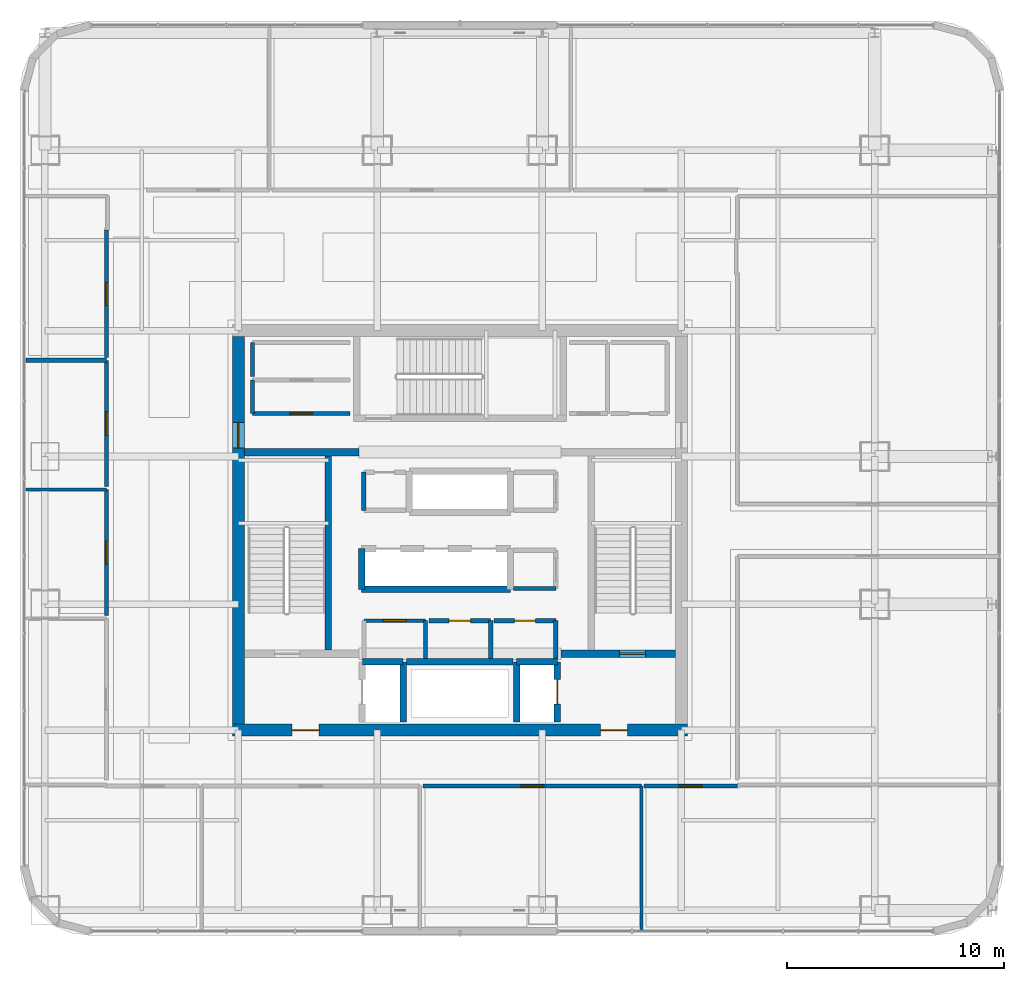
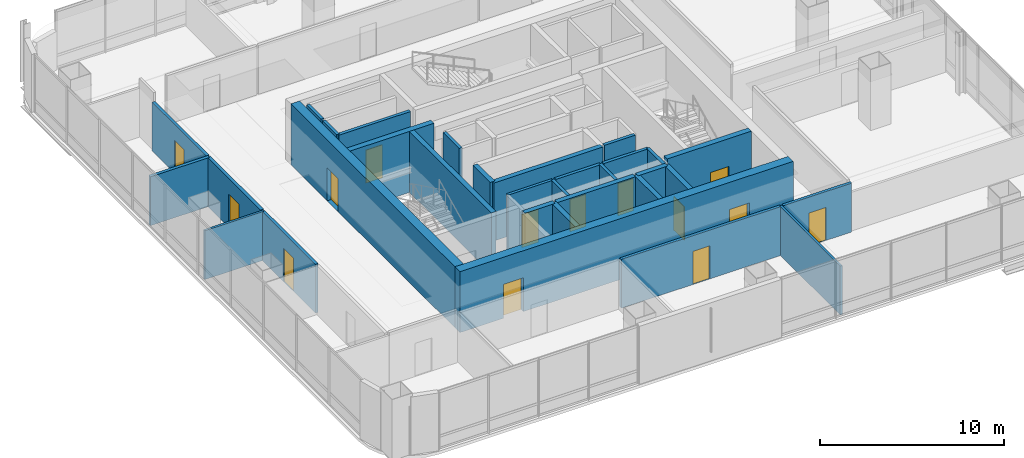
# One storey, part 32 of 44: 32 walls, 14 doors, 14 openings.
"""IFC4 building model written with IfcOpenShell, lengths in metres."""

from ifc_helpers import new_model, si_unit, direction, frame, frame_2d, origin, place, context, subcontext, project, spatial, rectangle, extrude, material, layer, layer_set, type_object, element, fill, save


model = new_model("IFC4")

# Units and contexts
model_context = context("Model", 3, precision=1e-05, world=origin(), true_north=direction((0.0, 1.0)))
body_context = subcontext(model_context, "Body", "Model", "MODEL_VIEW")
ifc_project = project(units=[si_unit("LENGTHUNIT", "METRE"), si_unit("AREAUNIT", "SQUARE_METRE"), si_unit("VOLUMEUNIT", "CUBIC_METRE"), si_unit("PLANEANGLEUNIT", "RADIAN"), si_unit("MASSUNIT", "GRAM", prefix="KILO")], contexts=[model_context])

# Site, building, storey
site_placement = place(None, origin())
site = spatial("IfcSite", under=ifc_project, at=site_placement, CompositionType="ELEMENT")
building_placement = place(site_placement, origin())
building = spatial("IfcBuilding", under=site, at=building_placement, Name="Punatoya Terracotta Tower", CompositionType="ELEMENT")
storey_placement = place(building_placement, frame((0.0, 0.0, 267.60009765625)))
storey = spatial("IfcBuildingStorey", under=building, at=storey_placement, Name="L63", CompositionType="ELEMENT", Elevation=267.60009765625)

# Wall, openings, doors
ifc_material_1 = material(Name="Concrete C50/60", Category="concrete")
ifc_layer_1 = layer(ifc_material_1, 0.550048828125)
ifc_layer_set_1 = layer_set([ifc_layer_1], Name="Concrete C50/60")
wall_type_1 = type_object("IfcWallType", Name="WL-COR-550", PredefinedType="SHEAR", material=ifc_layer_set_1)
wall_1_placement = place(storey_placement, frame((10.47509765625, -9.199951171875, 0.0), z_axis=(0.0, 0.0, 1.0), x_axis=(-1.0, 0.0, 0.0)))
wall_1 = element("IfcWall", 1, at=wall_1_placement, inside=storey, type_object=wall_type_1, Name="L63 Core Shear Wall S", PredefinedType="SHEAR", context=body_context, shape_type="SweptSolid", body=[
    extrude(rectangle(XDim=20.9501953125, YDim=0.550048828125, at=frame_2d((10.47509765625, 0.0))), origin(), (0.0, 0.0, 1.0), 4.0498046875),
])
opening_1_placement = place(wall_1_placement, frame((2.75, 0.0, 0.0)))
opening_1 = element("IfcOpeningElement", 2, at=opening_1_placement, cuts=wall_1, Name="Opening FD-L1", PredefinedType="OPENING", context=body_context, shape_type="SweptSolid", body=[
    extrude(rectangle(XDim=1.25, YDim=2.25, at=frame_2d((0.625, 1.125))), frame((0.0, 0.284912109375, 0.0), z_axis=(0.0, -1.0, 0.0), x_axis=(1.0, 0.0, 0.0)), (0.0, 0.0, 1.0), 0.570068359375),
])
opening_2_placement = place(wall_1_placement, frame((16.949951171875, 0.0, 0.0)))
opening_2 = element("IfcOpeningElement", 3, at=opening_2_placement, cuts=wall_1, Name="Opening FD-L1", PredefinedType="OPENING", context=body_context, shape_type="SweptSolid", body=[
    extrude(rectangle(XDim=1.25, YDim=2.25, at=frame_2d((0.625, 1.125))), frame((0.0, 0.284912109375, 0.0), z_axis=(0.0, -1.0, 0.0), x_axis=(1.0, 0.0, 0.0)), (0.0, 0.0, 1.0), 0.570068359375),
])
ifc_material_2 = material(Name="Galvanised Steel Smokeproof Fire Door", Category="steel")
door_type_1 = type_object("IfcDoorType", Name="DR-FFL-1250", OperationType="NOTDEFINED", PredefinedType="DOOR", material=ifc_material_2)
door_1_placement = place(opening_1_placement, origin())
door_1 = element("IfcDoor", 4, at=door_1_placement, inside=storey, type_object=door_type_1, Name="L63 East Firefighting Lobby Corridor Fire Door", OperationType="SINGLE_SWING_LEFT", OverallHeight=2.25, OverallWidth=1.25, PredefinedType="DOOR", context=body_context, shape_type="SweptSolid", body=[
    extrude(rectangle(XDim=1.25, YDim=2.25, at=frame_2d((0.625, 1.125))), frame((0.0, 0.02490234375, 0.0), z_axis=(0.0, -1.0, 0.0), x_axis=(1.0, 0.0, 0.0)), (0.0, 0.0, 1.0), 0.050048828125),
])
fill(opening_1, door_1)
door_2_placement = place(opening_2_placement, origin())
door_2 = element("IfcDoor", 5, at=door_2_placement, inside=storey, type_object=door_type_1, Name="L63 West Firefighting Lobby Corridor Fire Door", OperationType="SINGLE_SWING_RIGHT", OverallHeight=2.25, OverallWidth=1.25, PredefinedType="DOOR", context=body_context, shape_type="SweptSolid", body=[
    extrude(rectangle(XDim=1.25, YDim=2.25, at=frame_2d((0.625, 1.125))), frame((0.0, 0.02490234375, 0.0), z_axis=(0.0, -1.0, 0.0), x_axis=(1.0, 0.0, 0.0)), (0.0, 0.0, 1.0), 0.050048828125),
])
fill(opening_2, door_2)

# Wall, opening, door
wall_2_placement = place(storey_placement, frame((-10.199951171875, -8.925048828125, 0.0), z_axis=(0.0, 0.0, 1.0), x_axis=(0.0, 1.0, 0.0)))
wall_2 = element("IfcWall", 6, at=wall_2_placement, inside=storey, type_object=wall_type_1, Name="L63 Core Shear Wall W", PredefinedType="SHEAR", context=body_context, shape_type="SweptSolid", body=[
    extrude(rectangle(XDim=17.85009765625, YDim=0.550048828125, at=frame_2d((8.925048828125, 0.0))), origin(), (0.0, 0.0, 1.0), 4.0498046875),
])
opening_3_placement = place(wall_2_placement, frame((12.715087890625, 0.0, 0.0)))
opening_3 = element("IfcOpeningElement", 7, at=opening_3_placement, cuts=wall_2, Name="Opening SD-01", PredefinedType="OPENING", context=body_context, shape_type="SweptSolid", body=[
    extrude(rectangle(XDim=1.179931640625, YDim=2.199951171875, at=frame_2d((0.58984375, 1.10009765625))), frame((0.0, 0.284912109375, 0.0), z_axis=(0.0, -1.0, 0.0), x_axis=(1.0, 0.0, 0.0)), (0.0, 0.0, 1.0), 0.570068359375),
])
ifc_material_3 = material(Name="Galvanised Steel Pressurized Stair Fire Door", Category="steel")
door_type_2 = type_object("IfcDoorType", Name="DR-STR-1180", OperationType="NOTDEFINED", PredefinedType="DOOR", material=ifc_material_3)
door_3_placement = place(opening_3_placement, origin())
door_3 = element("IfcDoor", 8, at=door_3_placement, inside=storey, type_object=door_type_2, Name="L63 Central Lift Lobby West Fire Door", OperationType="SINGLE_SWING_LEFT", OverallHeight=2.199951171875, OverallWidth=1.179931640625, PredefinedType="DOOR", context=body_context, shape_type="SweptSolid", body=[
    extrude(rectangle(XDim=1.179931640625, YDim=2.199951171875, at=frame_2d((0.58984375, 1.10009765625))), frame((0.0, 0.02490234375, 0.0), z_axis=(0.0, -1.0, 0.0), x_axis=(1.0, 0.0, 0.0)), (0.0, 0.0, 1.0), 0.050048828125),
])
fill(opening_3, door_3)

# Wall
ifc_material_4 = material(Name="Gypsum Fireboard + Steel Stud", Category="steel")
ifc_layer_2 = layer(ifc_material_4, 0.179931640625)
ifc_layer_set_2 = layer_set([ifc_layer_2], Name="Gypsum Fireboard + Steel Stud")
wall_type_2 = type_object("IfcWallType", Name="WL-CORR-180", PredefinedType="PARTITIONING", material=ifc_layer_set_2)
wall_3_placement = place(storey_placement, frame((-1.580078125, -5.89990234375, 0.0), z_axis=(0.0, 0.0, 1.0), x_axis=(0.0, 1.0, 0.0)))
element("IfcWall", 9, at=wall_3_placement, inside=storey, type_object=wall_type_2, Name="L63 Core Quiet Wellness Room Partition 01", PredefinedType="PARTITIONING", context=body_context, shape_type="SweptSolid", body=[
    extrude(rectangle(XDim=1.739990234375, YDim=0.179931640625, at=frame_2d((0.8701171875, 0.0))), origin(), (0.0, 0.0, 1.0), 3.849853515625),
])

# Wall, opening, door
wall_4_placement = place(storey_placement, frame((-1.580078125, -4.159912109375, 0.0), z_axis=(0.0, 0.0, 1.0), x_axis=(-1.0, 0.0, 0.0)))
wall_4 = element("IfcWall", 10, at=wall_4_placement, inside=storey, type_object=wall_type_2, Name="L63 Core Quiet Wellness Room Partition 02", PredefinedType="PARTITIONING", context=body_context, shape_type="SweptSolid", body=[
    extrude(rectangle(XDim=2.83984375, YDim=0.179931640625, at=frame_2d((1.419921875, 0.0))), origin(), (0.0, 0.0, 1.0), 3.849853515625),
])
opening_4_placement = place(wall_4_placement, frame((0.89501953125, 0.0, 0.0)))
opening_4 = element("IfcOpeningElement", 11, at=opening_4_placement, cuts=wall_4, Name="Opening OD-01", PredefinedType="OPENING", context=body_context, shape_type="SweptSolid", body=[
    extrude(rectangle(XDim=1.050048828125, YDim=2.199951171875, at=frame_2d((0.52490234375, 1.10009765625))), frame((0.0, 0.099853515625, 0.0), z_axis=(0.0, -1.0, 0.0), x_axis=(1.0, 0.0, 0.0)), (0.0, 0.0, 1.0), 0.199951171875),
])
ifc_material_5 = material(Name="Bengal Teak Solid-Core Leaf")
door_type_3 = type_object("IfcDoorType", Name="DR-OFF-1050", OperationType="NOTDEFINED", PredefinedType="DOOR", material=ifc_material_5)
door_4_placement = place(opening_4_placement, origin())
door_4 = element("IfcDoor", 12, at=door_4_placement, inside=storey, type_object=door_type_3, Name="L63 Quiet Wellness Room Door", OperationType="SINGLE_SWING_LEFT", OverallHeight=2.199951171875, OverallWidth=1.050048828125, PredefinedType="DOOR", context=body_context, shape_type="SweptSolid", body=[
    extrude(rectangle(XDim=1.050048828125, YDim=2.199951171875, at=frame_2d((0.52490234375, 1.10009765625))), frame((0.0, 0.02490234375, 0.0), z_axis=(0.0, -1.0, 0.0), x_axis=(1.0, 0.0, 0.0)), (0.0, 0.0, 1.0), 0.050048828125),
])
fill(opening_4, door_4)

# Wall
wall_5_placement = place(storey_placement, frame((-9.550048828125, 8.64990234375, 0.0), z_axis=(0.0, 0.0, 1.0), x_axis=(0.0, -1.0, 0.0)))
element("IfcWall", 13, at=wall_5_placement, inside=storey, type_object=wall_type_2, Name="L63 West Core Copy Room Partition 21", PredefinedType="PARTITIONING", context=body_context, shape_type="SweptSolid", body=[
    extrude(rectangle(XDim=1.56982421875, YDim=0.179931640625, at=frame_2d((0.784912109375, 0.0))), origin(), (0.0, 0.0, 1.0), 3.849853515625),
])

# Wall, opening, door
wall_6_placement = place(storey_placement, frame((-1.70703125, -11.77001953125, 0.0), z_axis=(0.0, 0.0, 1.0), x_axis=(1.0, 0.0, 0.0)))
wall_6 = element("IfcWall", 14, at=wall_6_placement, inside=storey, type_object=wall_type_2, Name="L63 Open-Plan Cartography Reference Library Partition 32", PredefinedType="PARTITIONING", context=body_context, shape_type="SweptSolid", body=[
    extrude(rectangle(XDim=10.06591796875, YDim=0.179931640625, at=frame_2d((5.032958984375, 0.0))), origin(), (0.0, 0.0, 1.0), 3.243896484375),
])
opening_5_placement = place(wall_6_placement, frame((4.508056640625, 0.0, 0.0)))
opening_5 = element("IfcOpeningElement", 15, at=opening_5_placement, cuts=wall_6, Name="Opening OD-01", PredefinedType="OPENING", context=body_context, shape_type="SweptSolid", body=[
    extrude(rectangle(XDim=1.050048828125, YDim=2.199951171875, at=frame_2d((0.52490234375, 1.10009765625))), frame((0.0, 0.099853515625, 0.0), z_axis=(0.0, -1.0, 0.0), x_axis=(1.0, 0.0, 0.0)), (0.0, 0.0, 1.0), 0.199951171875),
])
door_5_placement = place(opening_5_placement, origin())
door_5 = element("IfcDoor", 16, at=door_5_placement, inside=storey, type_object=door_type_3, Name="L63 Open-Plan Cartography Reference Library Door", OperationType="SINGLE_SWING_RIGHT", OverallHeight=2.199951171875, OverallWidth=1.050048828125, PredefinedType="DOOR", context=body_context, shape_type="SweptSolid", body=[
    extrude(rectangle(XDim=1.050048828125, YDim=2.199951171875, at=frame_2d((0.52490234375, 1.10009765625))), frame((0.0, 0.02490234375, 0.0), z_axis=(0.0, -1.0, 0.0), x_axis=(1.0, 0.0, 0.0)), (0.0, 0.0, 1.0), 0.050048828125),
])
fill(opening_5, door_5)

wall_7_placement = place(storey_placement, frame((8.47900390625, -11.77001953125, 0.0), z_axis=(0.0, 0.0, 1.0), x_axis=(1.0, 0.0, 0.0)))
wall_7 = element("IfcWall", 17, at=wall_7_placement, inside=storey, type_object=wall_type_2, Name="L63 Open-Plan Environmental Research Laboratory Partition 36", PredefinedType="PARTITIONING", context=body_context, shape_type="SweptSolid", body=[
    extrude(rectangle(XDim=4.291015625, YDim=0.179931640625, at=frame_2d((2.1455078125, 0.0))), origin(), (0.0, 0.0, 1.0), 3.243896484375),
])
opening_6_placement = place(wall_7_placement, frame((1.62060546875, 0.0, 0.0)))
opening_6 = element("IfcOpeningElement", 18, at=opening_6_placement, cuts=wall_7, Name="Opening OD-01", PredefinedType="OPENING", context=body_context, shape_type="SweptSolid", body=[
    extrude(rectangle(XDim=1.050048828125, YDim=2.199951171875, at=frame_2d((0.52490234375, 1.10009765625))), frame((0.0, 0.099853515625, 0.0), z_axis=(0.0, -1.0, 0.0), x_axis=(1.0, 0.0, 0.0)), (0.0, 0.0, 1.0), 0.199951171875),
])
door_6_placement = place(opening_6_placement, origin())
door_6 = element("IfcDoor", 19, at=door_6_placement, inside=storey, type_object=door_type_3, Name="L63 Open-Plan Environmental Research Laboratory Door", OperationType="SINGLE_SWING_RIGHT", OverallHeight=2.199951171875, OverallWidth=1.050048828125, PredefinedType="DOOR", context=body_context, shape_type="SweptSolid", body=[
    extrude(rectangle(XDim=1.050048828125, YDim=2.199951171875, at=frame_2d((0.52490234375, 1.10009765625))), frame((0.0, 0.02490234375, 0.0), z_axis=(0.0, -1.0, 0.0), x_axis=(1.0, 0.0, 0.0)), (0.0, 0.0, 1.0), 0.050048828125),
])
fill(opening_6, door_6)

wall_8_placement = place(storey_placement, frame((-16.27001953125, 1.889892578125, 0.0), z_axis=(0.0, 0.0, 1.0), x_axis=(0.0, -1.0, 0.0)))
wall_8 = element("IfcWall", 20, at=wall_8_placement, inside=storey, type_object=wall_type_2, Name="L63 Open-Plan Wellness Rest Room Partition 42", PredefinedType="PARTITIONING", context=body_context, shape_type="SweptSolid", body=[
    extrude(rectangle(XDim=5.81982421875, YDim=0.179931640625, at=frame_2d((2.909912109375, 0.0))), origin(), (0.0, 0.0, 1.0), 3.243896484375),
])
opening_7_placement = place(wall_8_placement, frame((2.385009765625, 0.0, 0.0)))
opening_7 = element("IfcOpeningElement", 21, at=opening_7_placement, cuts=wall_8, Name="Opening OD-01", PredefinedType="OPENING", context=body_context, shape_type="SweptSolid", body=[
    extrude(rectangle(XDim=1.050048828125, YDim=2.199951171875, at=frame_2d((0.52490234375, 1.10009765625))), frame((0.0, 0.099853515625, 0.0), z_axis=(0.0, -1.0, 0.0), x_axis=(1.0, 0.0, 0.0)), (0.0, 0.0, 1.0), 0.199951171875),
])
door_7_placement = place(opening_7_placement, origin())
door_7 = element("IfcDoor", 22, at=door_7_placement, inside=storey, type_object=door_type_3, Name="L63 Open-Plan Wellness Rest Room Door", OperationType="SINGLE_SWING_LEFT", OverallHeight=2.199951171875, OverallWidth=1.050048828125, PredefinedType="DOOR", context=body_context, shape_type="SweptSolid", body=[
    extrude(rectangle(XDim=1.050048828125, YDim=2.199951171875, at=frame_2d((0.52490234375, 1.10009765625))), frame((0.0, 0.02490234375, 0.0), z_axis=(0.0, -1.0, 0.0), x_axis=(1.0, 0.0, 0.0)), (0.0, 0.0, 1.0), 0.050048828125),
])
fill(opening_7, door_7)

wall_9_placement = place(storey_placement, frame((-16.27001953125, 13.820068359375, 0.0), z_axis=(0.0, 0.0, 1.0), x_axis=(0.0, -1.0, 0.0)))
wall_9 = element("IfcWall", 23, at=wall_9_placement, inside=storey, type_object=wall_type_2, Name="L63 Urban Analytics Laboratory Partition 52", PredefinedType="PARTITIONING", context=body_context, shape_type="SweptSolid", body=[
    extrude(rectangle(XDim=5.8701171875, YDim=0.179931640625, at=frame_2d((2.93505859375, 0.0))), origin(), (0.0, 0.0, 1.0), 3.243896484375),
])
opening_8_placement = place(wall_9_placement, frame((2.409912109375, 0.0, 0.0)))
opening_8 = element("IfcOpeningElement", 24, at=opening_8_placement, cuts=wall_9, Name="Opening OD-01", PredefinedType="OPENING", context=body_context, shape_type="SweptSolid", body=[
    extrude(rectangle(XDim=1.050048828125, YDim=2.199951171875, at=frame_2d((0.52490234375, 1.10009765625))), frame((0.0, 0.099853515625, 0.0), z_axis=(0.0, -1.0, 0.0), x_axis=(1.0, 0.0, 0.0)), (0.0, 0.0, 1.0), 0.199951171875),
])
door_8_placement = place(opening_8_placement, origin())
door_8 = element("IfcDoor", 25, at=door_8_placement, inside=storey, type_object=door_type_3, Name="L63 Urban Analytics Laboratory Door", OperationType="SINGLE_SWING_RIGHT", OverallHeight=2.199951171875, OverallWidth=1.050048828125, PredefinedType="DOOR", context=body_context, shape_type="SweptSolid", body=[
    extrude(rectangle(XDim=1.050048828125, YDim=2.199951171875, at=frame_2d((0.52490234375, 1.10009765625))), frame((0.0, 0.02490234375, 0.0), z_axis=(0.0, -1.0, 0.0), x_axis=(1.0, 0.0, 0.0)), (0.0, 0.0, 1.0), 0.050048828125),
])
fill(opening_8, door_8)

# Wall
ifc_material_6 = material(Name="Concrete C40/50", Category="concrete")
ifc_layer_3 = layer(ifc_material_6, 0.199951171875)
ifc_layer_set_3 = layer_set([ifc_layer_3], Name="Concrete C40/50")
wall_type_3 = type_object("IfcWallType", Name="WL-INT-200", PredefinedType="SOLIDWALL", material=ifc_layer_set_3)
wall_10_placement = place(storey_placement, frame((1.419921875, -5.89990234375, 0.0), z_axis=(0.0, 0.0, 1.0), x_axis=(0.0, 1.0, 0.0)))
element("IfcWall", 26, at=wall_10_placement, inside=storey, type_object=wall_type_3, Name="L63 Accessible Universal Washroom Partition 04", PredefinedType="SOLIDWALL", context=body_context, shape_type="SweptSolid", body=[
    extrude(rectangle(XDim=1.739990234375, YDim=0.199951171875, at=frame_2d((0.8701171875, 0.0))), origin(), (0.0, 0.0, 1.0), 3.849853515625),
])

# Wall, opening, door
wall_11_placement = place(storey_placement, frame((1.419921875, -4.159912109375, 0.0), z_axis=(0.0, 0.0, 1.0), x_axis=(-1.0, 0.0, 0.0)))
wall_11 = element("IfcWall", 27, at=wall_11_placement, inside=storey, type_object=wall_type_3, Name="L63 Accessible Universal Washroom Partition 05", PredefinedType="SOLIDWALL", context=body_context, shape_type="SweptSolid", body=[
    extrude(rectangle(XDim=2.83984375, YDim=0.199951171875, at=frame_2d((1.419921875, 0.0))), origin(), (0.0, 0.0, 1.0), 3.849853515625),
])
opening_9_placement = place(wall_11_placement, frame((0.919921875, 0.0, 0.0)))
opening_9 = element("IfcOpeningElement", 28, at=opening_9_placement, cuts=wall_11, Name="Opening AWD-1", PredefinedType="OPENING", context=body_context, shape_type="SweptSolid", body=[
    extrude(rectangle(XDim=1.0, YDim=2.14990234375, at=frame_2d((0.5, 1.074951171875))), frame((0.0, 0.10986328125, 0.0), z_axis=(0.0, -1.0, 0.0), x_axis=(1.0, 0.0, 0.0)), (0.0, 0.0, 1.0), 0.219970703125),
])
ifc_material_7 = material(Name="Bengal Teak Accessible WC Leaf")
door_type_4 = type_object("IfcDoorType", Name="DR-ACC-1000", OperationType="NOTDEFINED", PredefinedType="DOOR", material=ifc_material_7)
door_9_placement = place(opening_9_placement, origin())
door_9 = element("IfcDoor", 29, at=door_9_placement, inside=storey, type_object=door_type_4, Name="L63 Accessible Universal Washroom Door", OperationType="SINGLE_SWING_RIGHT", OverallHeight=2.14990234375, OverallWidth=1.0, PredefinedType="DOOR", context=body_context, shape_type="SweptSolid", body=[
    extrude(rectangle(XDim=1.0, YDim=2.14990234375, at=frame_2d((0.5, 1.074951171875))), frame((0.0, 0.02490234375, 0.0), z_axis=(0.0, -1.0, 0.0), x_axis=(1.0, 0.0, 0.0)), (0.0, 0.0, 1.0), 0.050048828125),
])
fill(opening_9, door_9)

# Wall
wall_12_placement = place(storey_placement, frame((4.419921875, -5.89990234375, 0.0), z_axis=(0.0, 0.0, 1.0), x_axis=(0.0, 1.0, 0.0)))
element("IfcWall", 30, at=wall_12_placement, inside=storey, type_object=wall_type_3, Name="L63 All-Gender Washroom Partition 06", PredefinedType="SOLIDWALL", context=body_context, shape_type="SweptSolid", body=[
    extrude(rectangle(XDim=1.739990234375, YDim=0.199951171875, at=frame_2d((0.8701171875, 0.0))), origin(), (0.0, 0.0, 1.0), 3.849853515625),
])

# Wall, opening, door
wall_13_placement = place(storey_placement, frame((4.419921875, -4.159912109375, 0.0), z_axis=(0.0, 0.0, 1.0), x_axis=(-1.0, 0.0, 0.0)))
wall_13 = element("IfcWall", 31, at=wall_13_placement, inside=storey, type_object=wall_type_3, Name="L63 All-Gender Washroom Partition 07", PredefinedType="SOLIDWALL", context=body_context, shape_type="SweptSolid", body=[
    extrude(rectangle(XDim=2.83984375, YDim=0.199951171875, at=frame_2d((1.419921875, 0.0))), origin(), (0.0, 0.0, 1.0), 3.849853515625),
])
opening_10_placement = place(wall_13_placement, frame((0.945068359375, 0.0, 0.0)))
opening_10 = element("IfcOpeningElement", 32, at=opening_10_placement, cuts=wall_13, Name="Opening WD-01", PredefinedType="OPENING", context=body_context, shape_type="SweptSolid", body=[
    extrude(rectangle(XDim=0.949951171875, YDim=2.14990234375, at=frame_2d((0.47509765625, 1.074951171875))), frame((0.0, 0.10986328125, 0.0), z_axis=(0.0, -1.0, 0.0), x_axis=(1.0, 0.0, 0.0)), (0.0, 0.0, 1.0), 0.219970703125),
])
ifc_material_8 = material(Name="Moisture-Resistant Laminate Timber Leaf", Category="wood")
door_type_5 = type_object("IfcDoorType", Name="DR-WC-950", OperationType="NOTDEFINED", PredefinedType="DOOR", material=ifc_material_8)
door_10_placement = place(opening_10_placement, origin())
door_10 = element("IfcDoor", 33, at=door_10_placement, inside=storey, type_object=door_type_5, Name="L63 All-Gender Washroom Door", OperationType="SINGLE_SWING_LEFT", OverallHeight=2.14990234375, OverallWidth=0.949951171875, PredefinedType="DOOR", context=body_context, shape_type="SweptSolid", body=[
    extrude(rectangle(XDim=0.949951171875, YDim=2.14990234375, at=frame_2d((0.47509765625, 1.074951171875))), frame((0.0, 0.02490234375, 0.0), z_axis=(0.0, -1.0, 0.0), x_axis=(1.0, 0.0, 0.0)), (0.0, 0.0, 1.0), 0.050048828125),
])
fill(opening_10, door_10)

# Walls
wall_14_placement = place(storey_placement, frame((2.47998046875, -2.679931640625, 0.0), z_axis=(0.0, 0.0, 1.0), x_axis=(1.0, 0.0, 0.0)))
element("IfcWall", 34, at=wall_14_placement, inside=storey, type_object=wall_type_3, Name="L63 East Core Tea Pantry Partition 10", PredefinedType="SOLIDWALL", context=body_context, shape_type="SweptSolid", body=[
    extrude(rectangle(XDim=1.93994140625, YDim=0.199951171875, at=frame_2d((0.969970703125, 0.0))), origin(), (0.0, 0.0, 1.0), 3.849853515625),
])
wall_15_placement = place(storey_placement, frame((-4.419921875, 2.679931640625, 0.0), z_axis=(0.0, 0.0, 1.0), x_axis=(0.0, -1.0, 0.0)))
element("IfcWall", 35, at=wall_15_placement, inside=storey, type_object=wall_type_3, Name="L63 Core Security Equipment Closet Partition 12", PredefinedType="SOLIDWALL", context=body_context, shape_type="SweptSolid", body=[
    extrude(rectangle(XDim=1.760009765625, YDim=0.199951171875, at=frame_2d((0.8798828125, 0.0))), origin(), (0.0, 0.0, 1.0), 3.849853515625),
])
wall_16_placement = place(storey_placement, frame((-9.550048828125, 6.919921875, 0.0), z_axis=(0.0, 0.0, 1.0), x_axis=(0.0, -1.0, 0.0)))
element("IfcWall", 36, at=wall_16_placement, inside=storey, type_object=wall_type_3, Name="L63 West Core Tea Pantry Partition 18", PredefinedType="SOLIDWALL", context=body_context, shape_type="SweptSolid", body=[
    extrude(rectangle(XDim=1.5400390625, YDim=0.199951171875, at=frame_2d((0.77001953125, 0.0))), origin(), (0.0, 0.0, 1.0), 3.849853515625),
])

# Wall, opening, door
wall_17_placement = place(storey_placement, frame((-9.550048828125, 5.3798828125, 0.0), z_axis=(0.0, 0.0, 1.0), x_axis=(1.0, 0.0, 0.0)))
wall_17 = element("IfcWall", 37, at=wall_17_placement, inside=storey, type_object=wall_type_3, Name="L63 West Core Tea Pantry Partition 19", PredefinedType="SOLIDWALL", context=body_context, shape_type="SweptSolid", body=[
    extrude(rectangle(XDim=4.5, YDim=0.199951171875, at=frame_2d((2.25, 0.0))), origin(), (0.0, 0.0, 1.0), 3.849853515625),
])
opening_11_placement = place(wall_17_placement, frame((1.72509765625, 0.0, 0.0)))
opening_11 = element("IfcOpeningElement", 38, at=opening_11_placement, cuts=wall_17, Name="Opening OD-01", PredefinedType="OPENING", context=body_context, shape_type="SweptSolid", body=[
    extrude(rectangle(XDim=1.050048828125, YDim=2.199951171875, at=frame_2d((0.52490234375, 1.10009765625))), frame((0.0, 0.10986328125, 0.0), z_axis=(0.0, -1.0, 0.0), x_axis=(1.0, 0.0, 0.0)), (0.0, 0.0, 1.0), 0.219970703125),
])
door_11_placement = place(opening_11_placement, origin())
door_11 = element("IfcDoor", 39, at=door_11_placement, inside=storey, type_object=door_type_3, Name="L63 West Tea Pantry Door", OperationType="SINGLE_SWING_LEFT", OverallHeight=2.199951171875, OverallWidth=1.050048828125, PredefinedType="DOOR", context=body_context, shape_type="SweptSolid", body=[
    extrude(rectangle(XDim=1.050048828125, YDim=2.199951171875, at=frame_2d((0.52490234375, 1.10009765625))), frame((0.0, 0.02490234375, 0.0), z_axis=(0.0, -1.0, 0.0), x_axis=(1.0, 0.0, 0.0)), (0.0, 0.0, 1.0), 0.050048828125),
])
fill(opening_11, door_11)

# Wall
wall_18_placement = place(storey_placement, frame((-19.969970703125, 7.830078125, 0.0), z_axis=(0.0, 0.0, 1.0), x_axis=(1.0, 0.0, 0.0)))
element("IfcWall", 40, at=wall_18_placement, inside=storey, type_object=wall_type_3, Name="L63 Open-Plan Geospatial Data Archive Partition 43", PredefinedType="SOLIDWALL", context=body_context, shape_type="SweptSolid", body=[
    extrude(rectangle(XDim=3.699951171875, YDim=0.199951171875, at=frame_2d((1.85009765625, 0.0))), origin(), (0.0, 0.0, 1.0), 3.243896484375),
])

# Wall, opening, door
wall_19_placement = place(storey_placement, frame((-16.27001953125, 7.830078125, 0.0), z_axis=(0.0, 0.0, 1.0), x_axis=(0.0, -1.0, 0.0)))
wall_19 = element("IfcWall", 41, at=wall_19_placement, inside=storey, type_object=wall_type_3, Name="L63 Open-Plan Geospatial Data Archive Partition 44", PredefinedType="SOLIDWALL", context=body_context, shape_type="SweptSolid", body=[
    extrude(rectangle(XDim=5.820068359375, YDim=0.199951171875, at=frame_2d((2.91015625, 0.0))), origin(), (0.0, 0.0, 1.0), 3.243896484375),
])
opening_12_placement = place(wall_19_placement, frame((2.360107421875, 0.0, 0.0)))
opening_12 = element("IfcOpeningElement", 42, at=opening_12_placement, cuts=wall_19, Name="Opening FD-P1", PredefinedType="OPENING", context=body_context, shape_type="SweptSolid", body=[
    extrude(rectangle(XDim=1.10009765625, YDim=2.199951171875, at=frame_2d((0.550048828125, 1.10009765625))), frame((0.0, 0.10986328125, 0.0), z_axis=(0.0, -1.0, 0.0), x_axis=(1.0, 0.0, 0.0)), (0.0, 0.0, 1.0), 0.219970703125),
])
ifc_material_9 = material(Name="Galvanised Steel Plant Fire Door", Category="steel")
door_type_6 = type_object("IfcDoorType", Name="DR-PLT-1100", OperationType="NOTDEFINED", PredefinedType="DOOR", material=ifc_material_9)
door_12_placement = place(opening_12_placement, origin())
door_12 = element("IfcDoor", 43, at=door_12_placement, inside=storey, type_object=door_type_6, Name="L63 Open-Plan Geospatial Data Archive Fire Door", OperationType="SINGLE_SWING_RIGHT", OverallHeight=2.199951171875, OverallWidth=1.10009765625, PredefinedType="DOOR", context=body_context, shape_type="SweptSolid", body=[
    extrude(rectangle(XDim=1.10009765625, YDim=2.199951171875, at=frame_2d((0.550048828125, 1.10009765625))), frame((0.0, 0.02490234375, 0.0), z_axis=(0.0, -1.0, 0.0), x_axis=(1.0, 0.0, 0.0)), (0.0, 0.0, 1.0), 0.050048828125),
])
fill(opening_12, door_12)

# Walls
ifc_material_10 = material(Name="Acoustic Gypsum + Steel Stud", Category="steel")
ifc_layer_4 = layer(ifc_material_10, 0.139892578125)
ifc_layer_set_4 = layer_set([ifc_layer_4], Name="Acoustic Gypsum + Steel Stud")
wall_type_4 = type_object("IfcWallType", Name="WL-OFF-140", PredefinedType="PARTITIONING", material=ifc_layer_set_4)
wall_20_placement = place(storey_placement, frame((8.35888671875, -11.77001953125, 0.0), z_axis=(0.0, 0.0, 1.0), x_axis=(0.0, -1.0, 0.0)))
element("IfcWall", 44, at=wall_20_placement, inside=storey, type_object=wall_type_4, Name="L63 Open-Plan Cartography Reference Library Partition 31", PredefinedType="PARTITIONING", context=body_context, shape_type="SweptSolid", body=[
    extrude(rectangle(XDim=6.60009765625, YDim=0.139892578125, at=frame_2d((3.300048828125, 0.0))), origin(), (0.0, 0.0, 1.0), 3.243896484375),
])
wall_21_placement = place(storey_placement, frame((-19.969970703125, 1.889892578125, 0.0), z_axis=(0.0, 0.0, 1.0), x_axis=(1.0, 0.0, 0.0)))
element("IfcWall", 45, at=wall_21_placement, inside=storey, type_object=wall_type_4, Name="L63 Open-Plan Wellness Rest Room Partition 41", PredefinedType="PARTITIONING", context=body_context, shape_type="SweptSolid", body=[
    extrude(rectangle(XDim=3.699951171875, YDim=0.139892578125, at=frame_2d((1.85009765625, 0.0))), origin(), (0.0, 0.0, 1.0), 3.243896484375),
])
ifc_layer_5 = layer(ifc_material_6, 0.300048828125)
ifc_layer_set_5 = layer_set([ifc_layer_5], Name="Concrete C40/50")
wall_type_5 = type_object("IfcWallType", Name="WL-SHF-300", PredefinedType="SOLIDWALL", material=ifc_layer_set_5)
wall_22_placement = place(storey_placement, frame((-6.050048828125, -5.5, 0.0), z_axis=(0.0, 0.0, 1.0), x_axis=(0.0, 1.0, 0.0)))
element("IfcWall", 46, at=wall_22_placement, inside=storey, type_object=wall_type_5, Name="L63 Structural Stair Shaft Wall SW-ST1-E", PredefinedType="SOLIDWALL", context=body_context, shape_type="SweptSolid", body=[
    extrude(rectangle(XDim=8.949951171875, YDim=0.300048828125, at=frame_2d((4.47509765625, 0.0))), origin(), (0.0, 0.0, 1.0), 4.0498046875),
])
wall_23_placement = place(storey_placement, frame((-2.610107421875, -8.820068359375, 0.0), z_axis=(0.0, 0.0, 1.0), x_axis=(0.0, 1.0, 0.0)))
element("IfcWall", 47, at=wall_23_placement, inside=storey, type_object=wall_type_5, Name="L63 FFL-1 Rear Hoistway Wall", PredefinedType="SOLIDWALL", context=body_context, shape_type="SweptSolid", body=[
    extrude(rectangle(XDim=2.77001953125, YDim=0.300048828125, at=frame_2d((1.385009765625, 0.0))), origin(), (0.0, 0.0, 1.0), 3.849853515625),
])
wall_24_placement = place(storey_placement, frame((-4.489990234375, -6.050048828125, 0.0), z_axis=(0.0, 0.0, 1.0), x_axis=(1.0, 0.0, 0.0)))
element("IfcWall", 48, at=wall_24_placement, inside=storey, type_object=wall_type_5, Name="L63 FFL-1 North Hoistway Wall", PredefinedType="SOLIDWALL", context=body_context, shape_type="SweptSolid", body=[
    extrude(rectangle(XDim=1.8798828125, YDim=0.300048828125, at=frame_2d((0.93994140625, 0.0))), origin(), (0.0, 0.0, 1.0), 3.849853515625),
])

# Wall, opening, door
wall_25_placement = place(storey_placement, frame((4.489990234375, -8.820068359375, 0.0), z_axis=(0.0, 0.0, 1.0), x_axis=(0.0, 1.0, 0.0)))
wall_25 = element("IfcWall", 49, at=wall_25_placement, inside=storey, type_object=wall_type_5, Name="L63 FFL-2 Front Hoistway Wall", PredefinedType="SOLIDWALL", context=body_context, shape_type="SweptSolid", body=[
    extrude(rectangle(XDim=2.77001953125, YDim=0.300048828125, at=frame_2d((1.385009765625, 0.0))), origin(), (0.0, 0.0, 1.0), 3.849853515625),
])
opening_13_placement = place(wall_25_placement, frame((0.824951171875, 0.0, 0.0)))
opening_13 = element("IfcOpeningElement", 50, at=opening_13_placement, cuts=wall_25, Name="Opening LD-02", PredefinedType="OPENING", context=body_context, shape_type="SweptSolid", body=[
    extrude(rectangle(XDim=1.1201171875, YDim=2.25, at=frame_2d((0.56005859375, 1.125))), frame((0.0, 0.159912109375, 0.0), z_axis=(0.0, -1.0, 0.0), x_axis=(1.0, 0.0, 0.0)), (0.0, 0.0, 1.0), 0.320068359375),
])
ifc_material_11 = material(Name="Stainless Steel Lift Landing Door", Category="steel")
door_type_7 = type_object("IfcDoorType", Name="DR-LND-1120", OperationType="NOTDEFINED", PredefinedType="DOOR", material=ifc_material_11)
door_13_placement = place(opening_13_placement, origin())
door_13 = element("IfcDoor", 51, at=door_13_placement, inside=storey, type_object=door_type_7, Name="L63 Firefighting Lift FFL-2 Sliding Landing Door", OperationType="SLIDING_TO_RIGHT", OverallHeight=2.25, OverallWidth=1.1201171875, PredefinedType="DOOR", context=body_context, shape_type="SweptSolid", body=[
    extrude(rectangle(XDim=1.1201171875, YDim=2.25, at=frame_2d((0.56005859375, 1.125))), frame((0.0, 0.02490234375, 0.0), z_axis=(0.0, -1.0, 0.0), x_axis=(1.0, 0.0, 0.0)), (0.0, 0.0, 1.0), 0.050048828125),
])
fill(opening_13, door_13)

# Walls
wall_26_placement = place(storey_placement, frame((2.610107421875, -8.820068359375, 0.0), z_axis=(0.0, 0.0, 1.0), x_axis=(0.0, 1.0, 0.0)))
element("IfcWall", 52, at=wall_26_placement, inside=storey, type_object=wall_type_5, Name="L63 FFL-2 Rear Hoistway Wall", PredefinedType="SOLIDWALL", context=body_context, shape_type="SweptSolid", body=[
    extrude(rectangle(XDim=2.77001953125, YDim=0.300048828125, at=frame_2d((1.385009765625, 0.0))), origin(), (0.0, 0.0, 1.0), 3.849853515625),
])
wall_27_placement = place(storey_placement, frame((2.610107421875, -6.050048828125, 0.0), z_axis=(0.0, 0.0, 1.0), x_axis=(1.0, 0.0, 0.0)))
element("IfcWall", 53, at=wall_27_placement, inside=storey, type_object=wall_type_5, Name="L63 FFL-2 North Hoistway Wall", PredefinedType="SOLIDWALL", context=body_context, shape_type="SweptSolid", body=[
    extrude(rectangle(XDim=1.8798828125, YDim=0.300048828125, at=frame_2d((0.93994140625, 0.0))), origin(), (0.0, 0.0, 1.0), 3.849853515625),
])
wall_28_placement = place(storey_placement, frame((-4.52001953125, -2.719970703125, 0.0), z_axis=(0.0, 0.0, 1.0), x_axis=(1.0, 0.0, 0.0)))
element("IfcWall", 54, at=wall_28_placement, inside=storey, type_object=wall_type_5, Name="L63 South Lift Bank Rear Shaft Wall", PredefinedType="SOLIDWALL", context=body_context, shape_type="SweptSolid", body=[
    extrude(rectangle(XDim=6.840087890625, YDim=0.300048828125, at=frame_2d((3.419921875, 0.0))), origin(), (0.0, 0.0, 1.0), 3.849853515625),
])
wall_29_placement = place(storey_placement, frame((-4.52001953125, -2.719970703125, 0.0), z_axis=(0.0, 0.0, 1.0), x_axis=(0.0, 1.0, 0.0)))
element("IfcWall", 55, at=wall_29_placement, inside=storey, type_object=wall_type_5, Name="L63 South Lift Bank West End Wall", PredefinedType="SOLIDWALL", context=body_context, shape_type="SweptSolid", body=[
    extrude(rectangle(XDim=1.8798828125, YDim=0.300048828125, at=frame_2d((0.93994140625, 0.0))), origin(), (0.0, 0.0, 1.0), 3.849853515625),
])
wall_30_placement = place(storey_placement, frame((-2.449951171875, -6.050048828125, 0.0), z_axis=(0.0, 0.0, 1.0), x_axis=(1.0, 0.0, 0.0)))
element("IfcWall", 56, at=wall_30_placement, inside=storey, type_object=wall_type_5, Name="L63 Observation Shuttle Rear Hoistway Wall", PredefinedType="SOLIDWALL", context=body_context, shape_type="SweptSolid", body=[
    extrude(rectangle(XDim=4.89990234375, YDim=0.300048828125, at=frame_2d((2.449951171875, 0.0))), origin(), (0.0, 0.0, 1.0), 3.849853515625),
])

# Wall, opening, door
ifc_layer_6 = layer(ifc_material_1, 0.35009765625)
ifc_layer_set_6 = layer_set([ifc_layer_6], Name="Concrete C50/60")
wall_type_6 = type_object("IfcWallType", Name="WL-SHF-350", PredefinedType="SOLIDWALL", material=ifc_layer_set_6)
wall_31_placement = place(storey_placement, frame((4.64990234375, -5.679931640625, 0.0), z_axis=(0.0, 0.0, 1.0), x_axis=(1.0, 0.0, 0.0)))
wall_31 = element("IfcWall", 57, at=wall_31_placement, inside=storey, type_object=wall_type_6, Name="L63 Core Web Wall CSW-R", PredefinedType="SOLIDWALL", context=body_context, shape_type="SweptSolid", body=[
    extrude(rectangle(XDim=5.275146484375, YDim=0.35009765625, at=frame_2d((2.6376953125, 0.0))), origin(), (0.0, 0.0, 1.0), 4.0498046875),
])
opening_14_placement = place(wall_31_placement, frame((2.7099609375, 0.0, 0.0)))
opening_14 = element("IfcOpeningElement", 58, at=opening_14_placement, cuts=wall_31, Name="Opening SD-01", PredefinedType="OPENING", context=body_context, shape_type="SweptSolid", body=[
    extrude(rectangle(XDim=1.179931640625, YDim=2.199951171875, at=frame_2d((0.58984375, 1.10009765625))), frame((0.0, 0.18505859375, 0.0), z_axis=(0.0, -1.0, 0.0), x_axis=(1.0, 0.0, 0.0)), (0.0, 0.0, 1.0), 0.3701171875),
])
door_14_placement = place(opening_14_placement, origin())
door_14 = element("IfcDoor", 59, at=door_14_placement, inside=storey, type_object=door_type_2, Name="L63 Stair ST-2 Smokeproof Lobby Fire Door", OperationType="SINGLE_SWING_RIGHT", OverallHeight=2.199951171875, OverallWidth=1.179931640625, PredefinedType="DOOR", context=body_context, shape_type="SweptSolid", body=[
    extrude(rectangle(XDim=1.179931640625, YDim=2.199951171875, at=frame_2d((0.58984375, 1.10009765625))), frame((0.0, 0.02490234375, 0.0), z_axis=(0.0, -1.0, 0.0), x_axis=(1.0, 0.0, 0.0)), (0.0, 0.0, 1.0), 0.050048828125),
])
fill(opening_14, door_14)

# Wall
wall_32_placement = place(storey_placement, frame((-9.925048828125, 3.60009765625, 0.0), z_axis=(0.0, 0.0, 1.0), x_axis=(1.0, 0.0, 0.0)))
element("IfcWall", 60, at=wall_32_placement, inside=storey, type_object=wall_type_6, Name="L63 Core Web Wall CNW-L", PredefinedType="SOLIDWALL", context=body_context, shape_type="SweptSolid", body=[
    extrude(rectangle(XDim=5.275146484375, YDim=0.35009765625, at=frame_2d((2.6376953125, 0.0))), origin(), (0.0, 0.0, 1.0), 4.0498046875),
])

save(model, "model.ifc")
